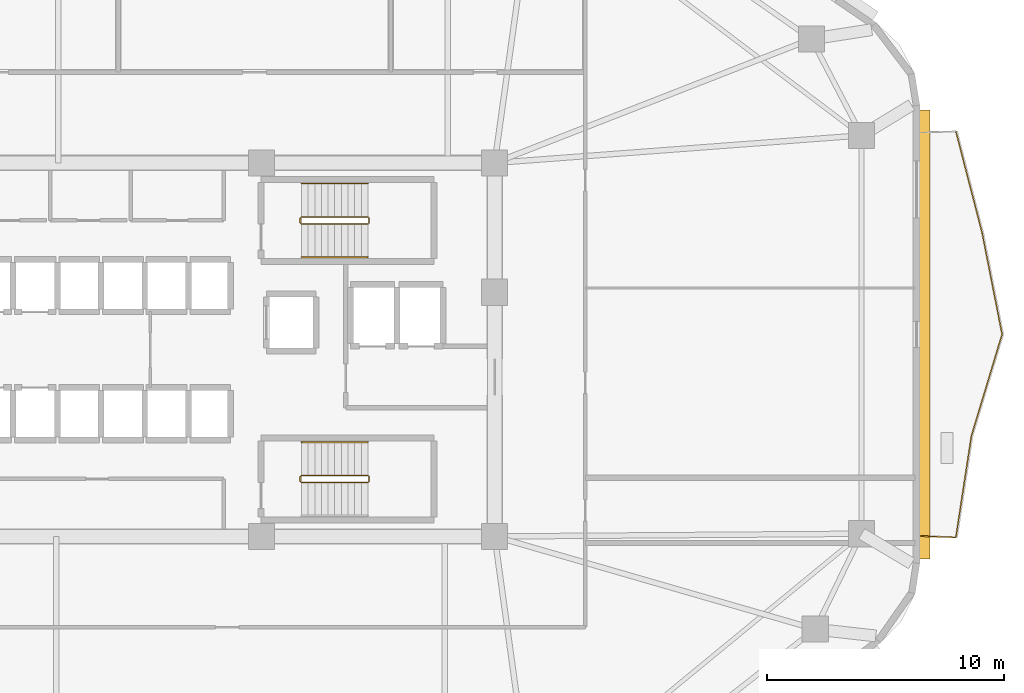
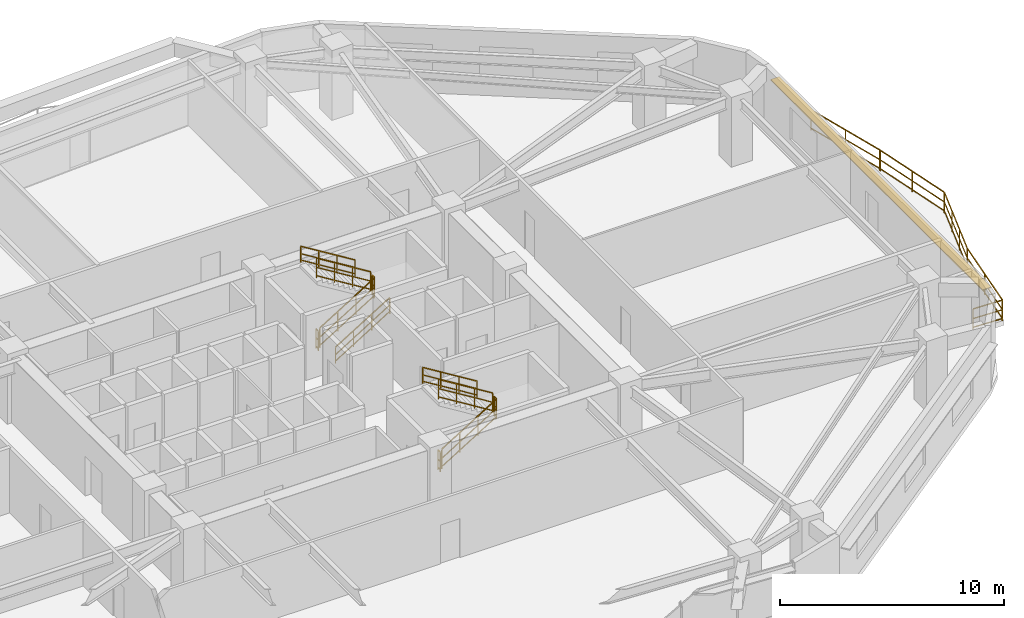
# One storey, part 11 of 12: 16 railings, 1 shading device.
"""IFC4 building model written with IfcOpenShell, lengths in metres."""

from ifc_helpers import new_model, si_unit, direction, frame, origin, origin_2d, place, context, subcontext, project, spatial, rectangle, extrude, material, layer, layer_set, type_object, element, save


model = new_model("IFC4")

# Units and contexts
model_context = context("Model", 3, precision=1e-05, world=origin(), true_north=direction((0.0, 1.0)))
body_context = subcontext(model_context, "Body", "Model", "MODEL_VIEW")
ifc_project = project(units=[si_unit("LENGTHUNIT", "METRE"), si_unit("AREAUNIT", "SQUARE_METRE"), si_unit("VOLUMEUNIT", "CUBIC_METRE"), si_unit("PLANEANGLEUNIT", "RADIAN"), si_unit("MASSUNIT", "GRAM", prefix="KILO")], contexts=[model_context])

# Site, building, storey
site_placement = place(None, origin())
site = spatial("IfcSite", under=ifc_project, at=site_placement, CompositionType="ELEMENT")
building_placement = place(site_placement, origin())
building = spatial("IfcBuilding", under=site, at=building_placement, Name="Zulverin Broadcast Headquarters", CompositionType="ELEMENT")
storey_placement = place(building_placement, frame((0.0, 0.0, 93.39990234375)))
storey = spatial("IfcBuildingStorey", under=building, at=storey_placement, Name="L23", CompositionType="ELEMENT", Elevation=93.39990234375)

# Railings
ifc_material_1 = material(Name="Brushed stainless steel & laminated glass balustrade", Category="steel")
railing_type_1 = type_object("IfcRailingType", Name="RL-GUARD-1150", PredefinedType="GUARDRAIL", material=ifc_material_1)
railing_1_placement = place(storey_placement, frame((66.239990234375, 17.343505859375, 0.0)))
element("IfcRailing", 1, at=railing_1_placement, inside=storey, type_object=railing_type_1, Name="L23 Vertical-Forest Balcony Guardrail BAL_E Segment 01", PredefinedType="GUARDRAIL", context=body_context, shape_type="SweptSolid", body=[
    extrude(rectangle(XDim=0.048095703125, YDim=0.048095703125, at=origin_2d()), frame((0.0, 0.0, 1.1259765625), z_axis=(0.999174410196, -0.040626321628, 0.0), x_axis=(0.040626321628, 0.999174410196, 0.0)), (0.0, 0.0, 1.0), 1.46630859375),
    extrude(rectangle(XDim=0.0419921875, YDim=0.0419921875, at=origin_2d()), frame((0.0, 0.0, 0.597900390625), z_axis=(0.999174410196, -0.040626321628, 0.0), x_axis=(0.040626321628, 0.999174410196, 0.0)), (0.0, 0.0, 1.0), 1.46630859375),
    extrude(rectangle(XDim=0.0419921875, YDim=0.0419921875, at=origin_2d()), frame((0.0, 0.0, 0.1201171875), z_axis=(0.999174410196, -0.040626321628, 0.0), x_axis=(0.040626321628, 0.999174410196, 0.0)), (0.0, 0.0, 1.0), 1.46630859375),
    extrude(rectangle(XDim=0.0419921875, YDim=0.0419921875, at=origin_2d()), origin(), (0.0, 0.0, 1.0), 1.101806640625),
    extrude(rectangle(XDim=0.0419921875, YDim=0.0419921875, at=origin_2d()), frame((1.465087890625, -0.0595703125, 0.0)), (0.0, 0.0, 1.0), 1.101806640625),
])
railing_2_placement = place(storey_placement, frame((67.722412109375, 17.298095703125, 0.0)))
element("IfcRailing", 2, at=railing_2_placement, inside=storey, type_object=railing_type_1, Name="L23 Vertical-Forest Balcony Guardrail BAL_E Segment 02", PredefinedType="GUARDRAIL", context=body_context, shape_type="SweptSolid", body=[
    extrude(rectangle(XDim=0.048095703125, YDim=0.048095703125, at=origin_2d()), frame((0.0, 0.0, 1.1259765625), z_axis=(0.151430425604, 0.988467918651, 0.0), x_axis=(-0.988467918651, 0.151430425604, 0.0)), (0.0, 0.0, 1.0), 4.302978515625),
    extrude(rectangle(XDim=0.0419921875, YDim=0.0419921875, at=origin_2d()), frame((0.0, 0.0, 0.597900390625), z_axis=(0.151430425604, 0.988467918651, 0.0), x_axis=(-0.988467918651, 0.151430425604, 0.0)), (0.0, 0.0, 1.0), 4.302978515625),
    extrude(rectangle(XDim=0.0419921875, YDim=0.0419921875, at=origin_2d()), frame((0.0, 0.0, 0.1201171875), z_axis=(0.151430425604, 0.988467918651, 0.0), x_axis=(-0.988467918651, 0.151430425604, 0.0)), (0.0, 0.0, 1.0), 4.302978515625),
    extrude(rectangle(XDim=0.0419921875, YDim=0.0419921875, at=origin_2d()), origin(), (0.0, 0.0, 1.0), 1.101806640625),
    extrude(rectangle(XDim=0.0419921875, YDim=0.0419921875, at=origin_2d()), frame((0.32568359375, 2.126708984375, 0.0)), (0.0, 0.0, 1.0), 1.101806640625),
    extrude(rectangle(XDim=0.0419921875, YDim=0.0419921875, at=origin_2d()), frame((0.651611328125, 4.25341796875, 0.0)), (0.0, 0.0, 1.0), 1.101806640625),
])
railing_3_placement = place(storey_placement, frame((68.380615234375, 21.58056640625, 0.0)))
element("IfcRailing", 3, at=railing_3_placement, inside=storey, type_object=railing_type_1, Name="L23 Vertical-Forest Balcony Guardrail BAL_E Segment 03", PredefinedType="GUARDRAIL", context=body_context, shape_type="SweptSolid", body=[
    extrude(rectangle(XDim=0.048095703125, YDim=0.048095703125, at=origin_2d()), frame((0.0, 0.0, 1.1259765625), z_axis=(0.289202189183, 0.957268036535, 0.0), x_axis=(-0.957268036535, 0.289202189183, 0.0)), (0.0, 0.0, 1.0), 4.44384765625),
    extrude(rectangle(XDim=0.0419921875, YDim=0.0419921875, at=origin_2d()), frame((0.0, 0.0, 0.597900390625), z_axis=(0.289202189183, 0.957268036535, 0.0), x_axis=(-0.957268036535, 0.289202189183, 0.0)), (0.0, 0.0, 1.0), 4.44384765625),
    extrude(rectangle(XDim=0.0419921875, YDim=0.0419921875, at=origin_2d()), frame((0.0, 0.0, 0.1201171875), z_axis=(0.289202189183, 0.957268036535, 0.0), x_axis=(-0.957268036535, 0.289202189183, 0.0)), (0.0, 0.0, 1.0), 4.44384765625),
    extrude(rectangle(XDim=0.0419921875, YDim=0.0419921875, at=origin_2d()), origin(), (0.0, 0.0, 1.0), 1.101806640625),
    extrude(rectangle(XDim=0.0419921875, YDim=0.0419921875, at=origin_2d()), frame((0.428466796875, 1.41796875, 0.0)), (0.0, 0.0, 1.0), 1.101806640625),
    extrude(rectangle(XDim=0.0419921875, YDim=0.0419921875, at=origin_2d()), frame((0.856689453125, 2.8359375, 0.0)), (0.0, 0.0, 1.0), 1.101806640625),
    extrude(rectangle(XDim=0.0419921875, YDim=0.0419921875, at=origin_2d()), frame((1.28515625, 4.25390625, 0.0)), (0.0, 0.0, 1.0), 1.101806640625),
])
railing_4_placement = place(storey_placement, frame((69.6669921875, 25.863525390625, 0.0)))
element("IfcRailing", 4, at=railing_4_placement, inside=storey, type_object=railing_type_1, Name="L23 Vertical-Forest Balcony Guardrail BAL_E Segment 04", PredefinedType="GUARDRAIL", context=body_context, shape_type="SweptSolid", body=[
    extrude(rectangle(XDim=0.048095703125, YDim=0.048095703125, at=origin_2d()), frame((0.0, 0.0, 1.1259765625), z_axis=(-0.193386256329, 0.981122701737, 0.0), x_axis=(-0.981122701737, -0.193386256329, 0.0)), (0.0, 0.0, 1.0), 4.335205078125),
    extrude(rectangle(XDim=0.0419921875, YDim=0.0419921875, at=origin_2d()), frame((0.0, 0.0, 0.597900390625), z_axis=(-0.193386256329, 0.981122701737, 0.0), x_axis=(-0.981122701737, -0.193386256329, 0.0)), (0.0, 0.0, 1.0), 4.335205078125),
    extrude(rectangle(XDim=0.0419921875, YDim=0.0419921875, at=origin_2d()), frame((0.0, 0.0, 0.1201171875), z_axis=(-0.193386256329, 0.981122701737, 0.0), x_axis=(-0.981122701737, -0.193386256329, 0.0)), (0.0, 0.0, 1.0), 4.335205078125),
    extrude(rectangle(XDim=0.0419921875, YDim=0.0419921875, at=origin_2d()), origin(), (0.0, 0.0, 1.0), 1.101806640625),
    extrude(rectangle(XDim=0.0419921875, YDim=0.0419921875, at=origin_2d()), frame((-0.419189453125, 2.126708984375, 0.0)), (0.0, 0.0, 1.0), 1.101806640625),
    extrude(rectangle(XDim=0.0419921875, YDim=0.0419921875, at=origin_2d()), frame((-0.83837890625, 4.25341796875, 0.0)), (0.0, 0.0, 1.0), 1.101806640625),
])
railing_5_placement = place(storey_placement, frame((68.822021484375, 30.146240234375, 0.0)))
element("IfcRailing", 5, at=railing_5_placement, inside=storey, type_object=railing_type_1, Name="L23 Vertical-Forest Balcony Guardrail BAL_E Segment 05", PredefinedType="GUARDRAIL", context=body_context, shape_type="SweptSolid", body=[
    extrude(rectangle(XDim=0.048095703125, YDim=0.048095703125, at=origin_2d()), frame((0.0, 0.0, 1.1259765625), z_axis=(-0.250020878405, 0.968240445531, 0.0), x_axis=(-0.968240445531, -0.250020878405, 0.0)), (0.0, 0.0, 1.0), 4.39306640625),
    extrude(rectangle(XDim=0.0419921875, YDim=0.0419921875, at=origin_2d()), frame((0.0, 0.0, 0.597900390625), z_axis=(-0.250020878405, 0.968240445531, 0.0), x_axis=(-0.968240445531, -0.250020878405, 0.0)), (0.0, 0.0, 1.0), 4.39306640625),
    extrude(rectangle(XDim=0.0419921875, YDim=0.0419921875, at=origin_2d()), frame((0.0, 0.0, 0.1201171875), z_axis=(-0.250020878405, 0.968240445531, 0.0), x_axis=(-0.968240445531, -0.250020878405, 0.0)), (0.0, 0.0, 1.0), 4.39306640625),
    extrude(rectangle(XDim=0.0419921875, YDim=0.0419921875, at=origin_2d()), origin(), (0.0, 0.0, 1.0), 1.101806640625),
    extrude(rectangle(XDim=0.0419921875, YDim=0.0419921875, at=origin_2d()), frame((-0.54931640625, 2.126953125, 0.0)), (0.0, 0.0, 1.0), 1.101806640625),
    extrude(rectangle(XDim=0.0419921875, YDim=0.0419921875, at=origin_2d()), frame((-1.098388671875, 4.253662109375, 0.0)), (0.0, 0.0, 1.0), 1.101806640625),
])
ifc_material_2 = material(Name="Painted galvanized steel tubular guardrail S355JR", Category="steel")
railing_type_2 = type_object("IfcRailingType", Name="RL-ST-GUARD", PredefinedType="GUARDRAIL", material=ifc_material_2)
railing_6_placement = place(storey_placement, frame((40.1298828125, 30.5, 0.1728515625)))
element("IfcRailing", 6, at=railing_6_placement, inside=storey, type_object=railing_type_2, Name="L23 ST-1 stair guard 1", PredefinedType="GUARDRAIL", context=body_context, shape_type="SweptSolid", body=[
    extrude(rectangle(XDim=0.048095703125, YDim=0.048095703125, at=origin_2d()), frame((0.0, 0.0, 1.076171875), z_axis=(0.851089632645, 0.0, 0.525020415988), x_axis=(0.0, 1.0, 0.0)), (0.0, 0.0, 1.0), 3.2900390625),
    extrude(rectangle(XDim=0.0419921875, YDim=0.0419921875, at=origin_2d()), frame((0.0, 0.0, 0.572021484375), z_axis=(0.851089632645, 0.0, 0.525020415988), x_axis=(0.0, 1.0, 0.0)), (0.0, 0.0, 1.0), 3.2900390625),
    extrude(rectangle(XDim=0.0419921875, YDim=0.0419921875, at=origin_2d()), frame((0.0, 0.0, 0.1201171875), z_axis=(0.851089632645, 0.0, 0.525020415988), x_axis=(0.0, 1.0, 0.0)), (0.0, 0.0, 1.0), 3.2900390625),
    extrude(rectangle(XDim=0.0419921875, YDim=0.0419921875, at=origin_2d()), origin(), (0.0, 0.0, 1.0), 1.052001953125),
    extrude(rectangle(XDim=0.0419921875, YDim=0.0419921875, at=origin_2d()), frame((0.933349609375, 0.0, 0.57568359375)), (0.0, 0.0, 1.0), 1.052001953125),
    extrude(rectangle(XDim=0.0419921875, YDim=0.0419921875, at=origin_2d()), frame((1.86669921875, 0.0, 1.151611328125)), (0.0, 0.0, 1.0), 1.052001953125),
    extrude(rectangle(XDim=0.0419921875, YDim=0.0419921875, at=origin_2d()), frame((2.800048828125, 0.0, 1.727294921875)), (0.0, 0.0, 1.0), 1.052001953125),
])
railing_7_placement = place(storey_placement, frame((42.97998046875, 30.550048828125, 1.900146484375)))
element("IfcRailing", 7, at=railing_7_placement, inside=storey, type_object=railing_type_2, Name="L23 ST-1 stair guard 2", PredefinedType="GUARDRAIL", context=body_context, shape_type="SweptSolid", body=[
    extrude(rectangle(XDim=0.048095703125, YDim=0.048095703125, at=origin_2d()), frame((0.0, 0.0, 1.076171875), z_axis=(0.0, 1.0, 0.0), x_axis=(-1.0, 0.0, 0.0)), (0.0, 0.0, 1.0), 0.199951171875),
    extrude(rectangle(XDim=0.0419921875, YDim=0.0419921875, at=origin_2d()), frame((0.0, 0.0, 0.572021484375), z_axis=(0.0, 1.0, 0.0), x_axis=(-1.0, 0.0, 0.0)), (0.0, 0.0, 1.0), 0.199951171875),
    extrude(rectangle(XDim=0.0419921875, YDim=0.0419921875, at=origin_2d()), frame((0.0, 0.0, 0.1201171875), z_axis=(0.0, 1.0, 0.0), x_axis=(-1.0, 0.0, 0.0)), (0.0, 0.0, 1.0), 0.199951171875),
    extrude(rectangle(XDim=0.0419921875, YDim=0.0419921875, at=origin_2d()), origin(), (0.0, 0.0, 1.0), 1.052001953125),
    extrude(rectangle(XDim=0.0419921875, YDim=0.0419921875, at=origin_2d()), frame((0.0, 0.199951171875, 0.0)), (0.0, 0.0, 1.0), 1.052001953125),
])
railing_8_placement = place(storey_placement, frame((42.929931640625, 30.800048828125, 2.07275390625)))
element("IfcRailing", 8, at=railing_8_placement, inside=storey, type_object=railing_type_2, Name="L23 ST-1 stair guard 3", PredefinedType="GUARDRAIL", context=body_context, shape_type="SweptSolid", body=[
    extrude(rectangle(XDim=0.048095703125, YDim=0.048095703125, at=origin_2d()), frame((0.0, 0.0, 1.076171875), z_axis=(-0.851089632645, 0.0, 0.525020415988), x_axis=(0.0, -1.0, 0.0)), (0.0, 0.0, 1.0), 3.2900390625),
    extrude(rectangle(XDim=0.0419921875, YDim=0.0419921875, at=origin_2d()), frame((0.0, 0.0, 0.572021484375), z_axis=(-0.851089632645, 0.0, 0.525020415988), x_axis=(0.0, -1.0, 0.0)), (0.0, 0.0, 1.0), 3.2900390625),
    extrude(rectangle(XDim=0.0419921875, YDim=0.0419921875, at=origin_2d()), frame((0.0, 0.0, 0.1201171875), z_axis=(-0.851089632645, 0.0, 0.525020415988), x_axis=(0.0, -1.0, 0.0)), (0.0, 0.0, 1.0), 3.2900390625),
    extrude(rectangle(XDim=0.0419921875, YDim=0.0419921875, at=origin_2d()), origin(), (0.0, 0.0, 1.0), 1.052001953125),
    extrude(rectangle(XDim=0.0419921875, YDim=0.0419921875, at=origin_2d()), frame((-0.933349609375, 0.0, 0.57568359375)), (0.0, 0.0, 1.0), 1.052001953125),
    extrude(rectangle(XDim=0.0419921875, YDim=0.0419921875, at=origin_2d()), frame((-1.86669921875, 0.0, 1.151611328125)), (0.0, 0.0, 1.0), 1.052001953125),
    extrude(rectangle(XDim=0.0419921875, YDim=0.0419921875, at=origin_2d()), frame((-2.800048828125, 0.0, 1.727294921875)), (0.0, 0.0, 1.0), 1.052001953125),
])
railing_9_placement = place(storey_placement, frame((40.080078125, 30.550048828125, 0.0)))
element("IfcRailing", 9, at=railing_9_placement, inside=storey, type_object=railing_type_2, Name="L23 ST-1 stair guard 4", PredefinedType="GUARDRAIL", context=body_context, shape_type="SweptSolid", body=[
    extrude(rectangle(XDim=0.048095703125, YDim=0.048095703125, at=origin_2d()), frame((0.0, 0.0, 1.076171875), z_axis=(0.0, 1.0, 0.0), x_axis=(-1.0, 0.0, 0.0)), (0.0, 0.0, 1.0), 0.199951171875),
    extrude(rectangle(XDim=0.0419921875, YDim=0.0419921875, at=origin_2d()), frame((0.0, 0.0, 0.572021484375), z_axis=(0.0, 1.0, 0.0), x_axis=(-1.0, 0.0, 0.0)), (0.0, 0.0, 1.0), 0.199951171875),
    extrude(rectangle(XDim=0.0419921875, YDim=0.0419921875, at=origin_2d()), frame((0.0, 0.0, 0.1201171875), z_axis=(0.0, 1.0, 0.0), x_axis=(-1.0, 0.0, 0.0)), (0.0, 0.0, 1.0), 0.199951171875),
    extrude(rectangle(XDim=0.0419921875, YDim=0.0419921875, at=origin_2d()), origin(), (0.0, 0.0, 1.0), 1.052001953125),
    extrude(rectangle(XDim=0.0419921875, YDim=0.0419921875, at=origin_2d()), frame((0.0, 0.199951171875, 0.0)), (0.0, 0.0, 1.0), 1.052001953125),
])
railing_10_placement = place(storey_placement, frame((40.1298828125, 19.60009765625, 0.1728515625)))
element("IfcRailing", 10, at=railing_10_placement, inside=storey, type_object=railing_type_2, Name="L23 ST-2 stair guard 1", PredefinedType="GUARDRAIL", context=body_context, shape_type="SweptSolid", body=[
    extrude(rectangle(XDim=0.048095703125, YDim=0.048095703125, at=origin_2d()), frame((0.0, 0.0, 1.076171875), z_axis=(0.851089632645, 0.0, 0.525020415988), x_axis=(0.0, 1.0, 0.0)), (0.0, 0.0, 1.0), 3.2900390625),
    extrude(rectangle(XDim=0.0419921875, YDim=0.0419921875, at=origin_2d()), frame((0.0, 0.0, 0.572021484375), z_axis=(0.851089632645, 0.0, 0.525020415988), x_axis=(0.0, 1.0, 0.0)), (0.0, 0.0, 1.0), 3.2900390625),
    extrude(rectangle(XDim=0.0419921875, YDim=0.0419921875, at=origin_2d()), frame((0.0, 0.0, 0.1201171875), z_axis=(0.851089632645, 0.0, 0.525020415988), x_axis=(0.0, 1.0, 0.0)), (0.0, 0.0, 1.0), 3.2900390625),
    extrude(rectangle(XDim=0.0419921875, YDim=0.0419921875, at=origin_2d()), origin(), (0.0, 0.0, 1.0), 1.052001953125),
    extrude(rectangle(XDim=0.0419921875, YDim=0.0419921875, at=origin_2d()), frame((0.933349609375, 0.0, 0.57568359375)), (0.0, 0.0, 1.0), 1.052001953125),
    extrude(rectangle(XDim=0.0419921875, YDim=0.0419921875, at=origin_2d()), frame((1.86669921875, 0.0, 1.151611328125)), (0.0, 0.0, 1.0), 1.052001953125),
    extrude(rectangle(XDim=0.0419921875, YDim=0.0419921875, at=origin_2d()), frame((2.800048828125, 0.0, 1.727294921875)), (0.0, 0.0, 1.0), 1.052001953125),
])
railing_11_placement = place(storey_placement, frame((42.97998046875, 19.64990234375, 1.900146484375)))
element("IfcRailing", 11, at=railing_11_placement, inside=storey, type_object=railing_type_2, Name="L23 ST-2 stair guard 2", PredefinedType="GUARDRAIL", context=body_context, shape_type="SweptSolid", body=[
    extrude(rectangle(XDim=0.048095703125, YDim=0.048095703125, at=origin_2d()), frame((0.0, 0.0, 1.076171875), z_axis=(0.0, 1.0, 0.0), x_axis=(-1.0, 0.0, 0.0)), (0.0, 0.0, 1.0), 0.2001953125),
    extrude(rectangle(XDim=0.0419921875, YDim=0.0419921875, at=origin_2d()), frame((0.0, 0.0, 0.572021484375), z_axis=(0.0, 1.0, 0.0), x_axis=(-1.0, 0.0, 0.0)), (0.0, 0.0, 1.0), 0.2001953125),
    extrude(rectangle(XDim=0.0419921875, YDim=0.0419921875, at=origin_2d()), frame((0.0, 0.0, 0.1201171875), z_axis=(0.0, 1.0, 0.0), x_axis=(-1.0, 0.0, 0.0)), (0.0, 0.0, 1.0), 0.2001953125),
    extrude(rectangle(XDim=0.0419921875, YDim=0.0419921875, at=origin_2d()), origin(), (0.0, 0.0, 1.0), 1.052001953125),
    extrude(rectangle(XDim=0.0419921875, YDim=0.0419921875, at=origin_2d()), frame((0.0, 0.2001953125, 0.0)), (0.0, 0.0, 1.0), 1.052001953125),
])
railing_12_placement = place(storey_placement, frame((42.929931640625, 19.89990234375, 2.07275390625)))
element("IfcRailing", 12, at=railing_12_placement, inside=storey, type_object=railing_type_2, Name="L23 ST-2 stair guard 3", PredefinedType="GUARDRAIL", context=body_context, shape_type="SweptSolid", body=[
    extrude(rectangle(XDim=0.048095703125, YDim=0.048095703125, at=origin_2d()), frame((0.0, 0.0, 1.076171875), z_axis=(-0.851089632645, 0.0, 0.525020415988), x_axis=(0.0, -1.0, 0.0)), (0.0, 0.0, 1.0), 3.2900390625),
    extrude(rectangle(XDim=0.0419921875, YDim=0.0419921875, at=origin_2d()), frame((0.0, 0.0, 0.572021484375), z_axis=(-0.851089632645, 0.0, 0.525020415988), x_axis=(0.0, -1.0, 0.0)), (0.0, 0.0, 1.0), 3.2900390625),
    extrude(rectangle(XDim=0.0419921875, YDim=0.0419921875, at=origin_2d()), frame((0.0, 0.0, 0.1201171875), z_axis=(-0.851089632645, 0.0, 0.525020415988), x_axis=(0.0, -1.0, 0.0)), (0.0, 0.0, 1.0), 3.2900390625),
    extrude(rectangle(XDim=0.0419921875, YDim=0.0419921875, at=origin_2d()), origin(), (0.0, 0.0, 1.0), 1.052001953125),
    extrude(rectangle(XDim=0.0419921875, YDim=0.0419921875, at=origin_2d()), frame((-0.933349609375, 0.0, 0.57568359375)), (0.0, 0.0, 1.0), 1.052001953125),
    extrude(rectangle(XDim=0.0419921875, YDim=0.0419921875, at=origin_2d()), frame((-1.86669921875, 0.0, 1.151611328125)), (0.0, 0.0, 1.0), 1.052001953125),
    extrude(rectangle(XDim=0.0419921875, YDim=0.0419921875, at=origin_2d()), frame((-2.800048828125, 0.0, 1.727294921875)), (0.0, 0.0, 1.0), 1.052001953125),
])
railing_13_placement = place(storey_placement, frame((40.080078125, 19.64990234375, 0.0)))
element("IfcRailing", 13, at=railing_13_placement, inside=storey, type_object=railing_type_2, Name="L23 ST-2 stair guard 4", PredefinedType="GUARDRAIL", context=body_context, shape_type="SweptSolid", body=[
    extrude(rectangle(XDim=0.048095703125, YDim=0.048095703125, at=origin_2d()), frame((0.0, 0.0, 1.076171875), z_axis=(0.0, 1.0, 0.0), x_axis=(-1.0, 0.0, 0.0)), (0.0, 0.0, 1.0), 0.2001953125),
    extrude(rectangle(XDim=0.0419921875, YDim=0.0419921875, at=origin_2d()), frame((0.0, 0.0, 0.572021484375), z_axis=(0.0, 1.0, 0.0), x_axis=(-1.0, 0.0, 0.0)), (0.0, 0.0, 1.0), 0.2001953125),
    extrude(rectangle(XDim=0.0419921875, YDim=0.0419921875, at=origin_2d()), frame((0.0, 0.0, 0.1201171875), z_axis=(0.0, 1.0, 0.0), x_axis=(-1.0, 0.0, 0.0)), (0.0, 0.0, 1.0), 0.2001953125),
    extrude(rectangle(XDim=0.0419921875, YDim=0.0419921875, at=origin_2d()), origin(), (0.0, 0.0, 1.0), 1.052001953125),
    extrude(rectangle(XDim=0.0419921875, YDim=0.0419921875, at=origin_2d()), frame((0.0, 0.2001953125, 0.0)), (0.0, 0.0, 1.0), 1.052001953125),
])
ifc_material_3 = material(Name="Brushed stainless steel 48 mm handrail", Category="steel")
railing_type_3 = type_object("IfcRailingType", Name="RL-ST-HAND", PredefinedType="HANDRAIL", material=ifc_material_3)
railing_14_placement = place(storey_placement, frame((40.1298828125, 29.10009765625, 0.1728515625)))
element("IfcRailing", 14, at=railing_14_placement, inside=storey, type_object=railing_type_3, Name="L23 ST-1 stair handrail 1", PredefinedType="HANDRAIL", context=body_context, shape_type="SweptSolid", body=[
    extrude(rectangle(XDim=0.048095703125, YDim=0.048095703125, at=origin_2d()), frame((0.0, 0.0, 0.8759765625), z_axis=(0.851089632645, 0.0, 0.525020415988), x_axis=(0.0, 1.0, 0.0)), (0.0, 0.0, 1.0), 3.2900390625),
    extrude(rectangle(XDim=0.0419921875, YDim=0.0419921875, at=origin_2d()), frame((0.0, 0.0, 0.468017578125), z_axis=(0.851089632645, 0.0, 0.525020415988), x_axis=(0.0, 1.0, 0.0)), (0.0, 0.0, 1.0), 3.2900390625),
    extrude(rectangle(XDim=0.0419921875, YDim=0.0419921875, at=origin_2d()), frame((0.0, 0.0, 0.1201171875), z_axis=(0.851089632645, 0.0, 0.525020415988), x_axis=(0.0, 1.0, 0.0)), (0.0, 0.0, 1.0), 3.2900390625),
    extrude(rectangle(XDim=0.0419921875, YDim=0.0419921875, at=origin_2d()), origin(), (0.0, 0.0, 1.0), 0.851806640625),
    extrude(rectangle(XDim=0.0419921875, YDim=0.0419921875, at=origin_2d()), frame((0.933349609375, 0.0, 0.57568359375)), (0.0, 0.0, 1.0), 0.851806640625),
    extrude(rectangle(XDim=0.0419921875, YDim=0.0419921875, at=origin_2d()), frame((1.86669921875, 0.0, 1.151611328125)), (0.0, 0.0, 1.0), 0.851806640625),
    extrude(rectangle(XDim=0.0419921875, YDim=0.0419921875, at=origin_2d()), frame((2.800048828125, 0.0, 1.727294921875)), (0.0, 0.0, 1.0), 0.851806640625),
])
for number, where, name in (
    (15, (42.929931640625, 32.199951171875, 2.07275390625), "L23 ST-1 stair handrail 2"),
    (16, (42.929931640625, 21.300048828125, 2.07275390625), "L23 ST-2 stair handrail 2"),
):
    element("IfcRailing", number, at=place(storey_placement, frame(where)), inside=storey, type_object=railing_type_3, Name=name, PredefinedType="HANDRAIL", context=body_context, shape_type="SweptSolid", body=[
        extrude(rectangle(XDim=0.048095703125, YDim=0.048095703125, at=origin_2d()), frame((0.0, 0.0, 0.8759765625), z_axis=(-0.851089632645, 0.0, 0.525020415988), x_axis=(0.0, -1.0, 0.0)), (0.0, 0.0, 1.0), 3.2900390625),
        extrude(rectangle(XDim=0.0419921875, YDim=0.0419921875, at=origin_2d()), frame((0.0, 0.0, 0.468017578125), z_axis=(-0.851089632645, 0.0, 0.525020415988), x_axis=(0.0, -1.0, 0.0)), (0.0, 0.0, 1.0), 3.2900390625),
        extrude(rectangle(XDim=0.0419921875, YDim=0.0419921875, at=origin_2d()), frame((0.0, 0.0, 0.1201171875), z_axis=(-0.851089632645, 0.0, 0.525020415988), x_axis=(0.0, -1.0, 0.0)), (0.0, 0.0, 1.0), 3.2900390625),
        extrude(rectangle(XDim=0.0419921875, YDim=0.0419921875, at=origin_2d()), origin(), (0.0, 0.0, 1.0), 0.851806640625),
        extrude(rectangle(XDim=0.0419921875, YDim=0.0419921875, at=origin_2d()), frame((-0.933349609375, 0.0, 0.57568359375)), (0.0, 0.0, 1.0), 0.851806640625),
        extrude(rectangle(XDim=0.0419921875, YDim=0.0419921875, at=origin_2d()), frame((-1.86669921875, 0.0, 1.151611328125)), (0.0, 0.0, 1.0), 0.851806640625),
        extrude(rectangle(XDim=0.0419921875, YDim=0.0419921875, at=origin_2d()), frame((-2.800048828125, 0.0, 1.727294921875)), (0.0, 0.0, 1.0), 0.851806640625),
    ])

# Shading device
ifc_material_4 = material(Name="Anodized pale-metal aluminium sunshade", Category="aluminium")
ifc_layer = layer(ifc_material_4, 0.06005859375, Name="Anodized pale-metal aluminium sunshade", Category="aluminium")
ifc_layer_set = layer_set([ifc_layer], Name="Anodized pale-metal aluminium sunshade")
shading_device_type = type_object("IfcShadingDeviceType", Name="SS-01_PALE_METAL_ALUMINIUM_SUNSHADE", PredefinedType="USERDEFINED", material=ifc_layer_set)
shading_device_placement = place(storey_placement, frame((66.39990234375, 25.848876953125, 2.7099609375), z_axis=(0.0, 0.0, 1.0), x_axis=(0.0, 1.0, 0.0)))
element("IfcShadingDevice", 17, at=shading_device_placement, inside=storey, type_object=shading_device_type, Name="L23 Horizontal Pale-Metal Sunshade Band 3", ObjectType="SUNSHADE", PredefinedType="USERDEFINED", context=body_context, shape_type="SweptSolid", body=[
    extrude(rectangle(XDim=18.93115234375, YDim=0.449951171875, at=origin_2d()), origin(), (0.0, 0.0, 1.0), 0.06005859375),
])

save(model, "model.ifc")
